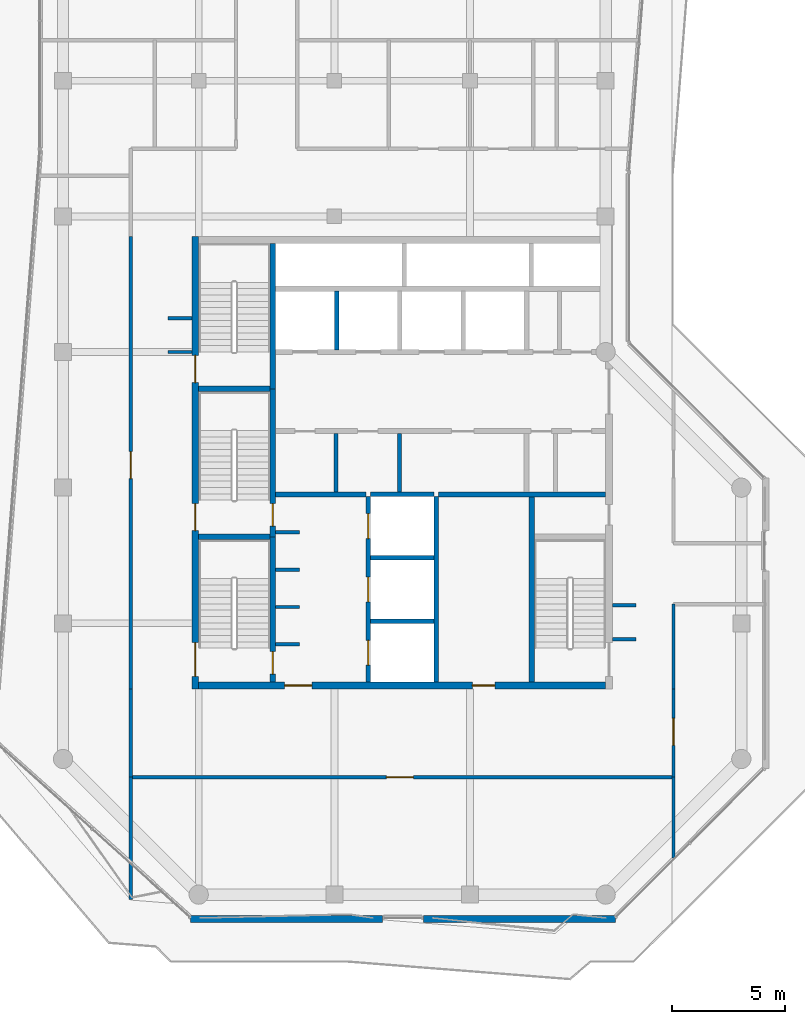
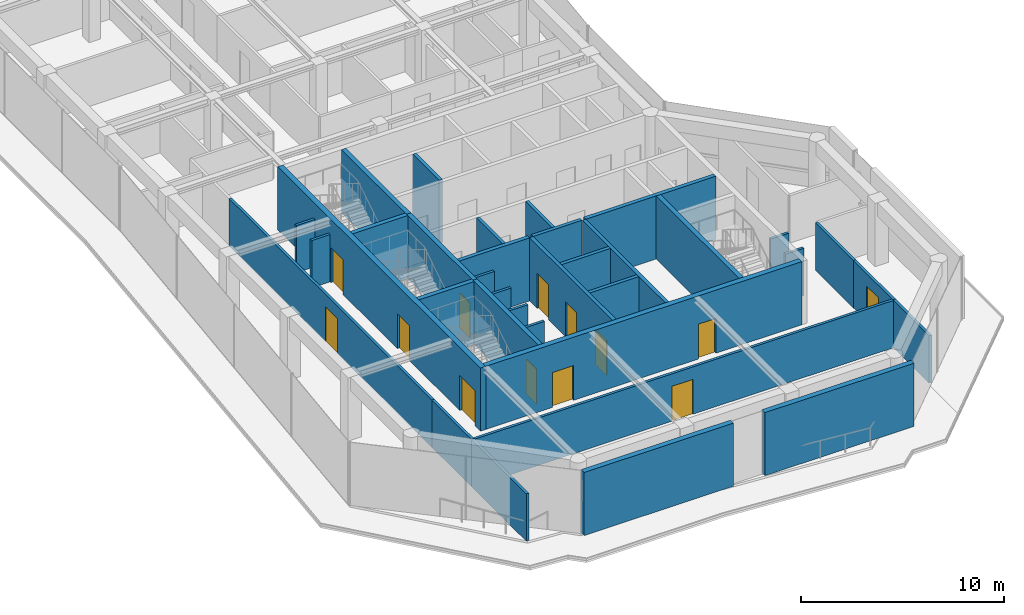
# One storey, part 17 of 22: 35 walls, 13 doors, 13 openings.
"""IFC4 building model written with IfcOpenShell, lengths in metres."""

from ifc_helpers import new_model, si_unit, direction, frame, frame_2d, origin, place, context, subcontext, project, spatial, rectangle, extrude, material, layer, layer_set, type_object, element, fill, save


model = new_model("IFC4")

# Units and contexts
model_context = context("Model", 3, precision=1e-05, world=origin(), true_north=direction((0.0, 1.0)))
body_context = subcontext(model_context, "Body", "Model", "MODEL_VIEW")
ifc_project = project(units=[si_unit("LENGTHUNIT", "METRE"), si_unit("AREAUNIT", "SQUARE_METRE"), si_unit("VOLUMEUNIT", "CUBIC_METRE"), si_unit("PLANEANGLEUNIT", "RADIAN"), si_unit("MASSUNIT", "GRAM", prefix="KILO")], contexts=[model_context])

# Site, building, storey
site_placement = place(None, origin())
site = spatial("IfcSite", under=ifc_project, at=site_placement, CompositionType="ELEMENT")
building_placement = place(site_placement, origin())
building = spatial("IfcBuilding", under=site, at=building_placement, Name="Welwitschia Terrace Campus", CompositionType="ELEMENT")
storey_placement = place(building_placement, frame((0.0, 0.0, 268.39990234375)))
storey = spatial("IfcBuildingStorey", under=building, at=storey_placement, Name="L59", CompositionType="ELEMENT", Elevation=268.39990234375)

# Walls
ifc_material_1 = material(Name="Concrete C32/40", Category="concrete")
ifc_layer_1 = layer(ifc_material_1, 0.175048828125)
ifc_layer_set_1 = layer_set([ifc_layer_1], Name="Concrete C32/40")
wall_type_1 = type_object("IfcWallType", Name="Core partition 175 Concrete C32/40", PredefinedType="PARTITIONING", material=ifc_layer_set_1)
for number, where, z_axis, x_axis, name in (
    (1, (12.074951171875, 13.800048828125, 0.0), (0.0, 0.0, 1.0), (0.0, 1.0, 0.0), "Core partition"),
    (2, (14.875, 13.800048828125, 0.0), (0.0, 0.0, 1.0), (0.0, 1.0, 0.0), "Core partition"),
):
    element("IfcWall", number, at=place(storey_placement, frame(where, z_axis=z_axis, x_axis=x_axis)), inside=storey, type_object=wall_type_1, Name=name, PredefinedType="PARTITIONING", context=body_context, shape_type="SweptSolid", body=[
        extrude(rectangle(XDim=2.599853515625, YDim=0.175048828125, at=frame_2d((1.2998046875, 0.0))), origin(), (0.0, 0.0, 1.0), 3.800048828125),
    ])
ifc_material_2 = material(Name="Concrete C32/40", Category="concrete")
ifc_layer_2 = layer(ifc_material_2, 0.22509765625)
ifc_layer_set_2 = layer_set([ifc_layer_2], Name="Concrete C32/40")
wall_type_2 = type_object("IfcWallType", Name="Core partition 225 Concrete C32/40", PredefinedType="PARTITIONING", material=ifc_layer_set_2)
wall_1_placement = place(storey_placement, frame((9.39990234375, 13.699951171875, 0.0), z_axis=(0.0, 0.0, 1.0), x_axis=(1.0, 0.0, 0.0)))
element("IfcWall", 3, at=wall_1_placement, inside=storey, type_object=wall_type_2, Name="Core partition", PredefinedType="PARTITIONING", context=body_context, shape_type="SweptSolid", body=[
    extrude(rectangle(XDim=4.0, YDim=0.22509765625, at=frame_2d((2.0, 0.0))), origin(), (0.0, 0.0, 1.0), 3.800048828125),
])
wall_2_placement = place(storey_placement, frame((16.60009765625, 13.699951171875, 0.0), z_axis=(0.0, 0.0, 1.0), x_axis=(1.0, 0.0, 0.0)))
element("IfcWall", 4, at=wall_2_placement, inside=storey, type_object=wall_type_2, Name="Core partition", PredefinedType="PARTITIONING", context=body_context, shape_type="SweptSolid", body=[
    extrude(rectangle(XDim=7.39990234375, YDim=0.22509765625, at=frame_2d((3.699951171875, 0.0))), origin(), (0.0, 0.0, 1.0), 3.800048828125),
])
ifc_material_3 = material(Name="Concrete C50/60", Category="concrete")
ifc_layer_3 = layer(ifc_material_3, 0.14990234375)
ifc_layer_set_3 = layer_set([ifc_layer_3], Name="Concrete C50/60")
wall_type_3 = type_object("IfcWallType", Name="Core wall 150 Concrete C50/60", PredefinedType="SHEAR", material=ifc_layer_set_3)
for number, where, z_axis, x_axis, name in (
    (5, (9.39990234375, 7.074951171875, 0.0), (0.0, 0.0, 1.0), (1.0, 0.0, 0.0), "Core wall"),
    (6, (9.39990234375, 8.72509765625, 0.0), (0.0, 0.0, 1.0), (1.0, 0.0, 0.0), "Core wall"),
    (7, (9.39990234375, 10.375, 0.0), (0.0, 0.0, 1.0), (1.0, 0.0, 0.0), "Core wall"),
    (8, (9.39990234375, 12.02490234375, 0.0), (0.0, 0.0, 1.0), (1.0, 0.0, 0.0), "Core wall"),
):
    element("IfcWall", number, at=place(storey_placement, frame(where, z_axis=z_axis, x_axis=x_axis)), inside=storey, type_object=wall_type_3, Name=name, PredefinedType="SHEAR", context=body_context, shape_type="SweptSolid", body=[
        extrude(rectangle(XDim=1.050048828125, YDim=0.14990234375, at=frame_2d((0.52490234375, 0.0))), origin(), (0.0, 0.0, 1.0), 3.800048828125),
    ])
ifc_material_4 = material(Name="Concrete C50/60", Category="concrete")
ifc_layer_4 = layer(ifc_material_4, 0.199951171875)
ifc_layer_set_4 = layer_set([ifc_layer_4], Name="Concrete C50/60")
wall_type_4 = type_object("IfcWallType", Name="Core wall 200 Concrete C50/60", PredefinedType="SHEAR", material=ifc_layer_set_4)
for number, where, z_axis, x_axis, name in (
    (9, (13.60009765625, 8.10009765625, 0.0), (0.0, 0.0, 1.0), (1.0, 0.0, 0.0), "Core wall"),
    (10, (13.60009765625, 10.89990234375, 0.0), (0.0, 0.0, 1.0), (1.0, 0.0, 0.0), "Core wall"),
    (11, (13.60009765625, 13.699951171875, 0.0), (0.0, 0.0, 1.0), (1.0, 0.0, 0.0), "Core wall"),
):
    element("IfcWall", number, at=place(storey_placement, frame(where, z_axis=z_axis, x_axis=x_axis)), inside=storey, type_object=wall_type_4, Name=name, PredefinedType="SHEAR", context=body_context, shape_type="SweptSolid", body=[
        extrude(rectangle(XDim=2.7998046875, YDim=0.199951171875, at=frame_2d((1.39990234375, 0.0))), origin(), (0.0, 0.0, 1.0), 3.800048828125),
    ])

# Wall, openings, doors
wall_3_placement = place(storey_placement, frame((13.5, 5.39990234375, 0.0), z_axis=(0.0, 0.0, 1.0), x_axis=(0.0, 1.0, 0.0)))
wall_3 = element("IfcWall", 12, at=wall_3_placement, inside=storey, type_object=wall_type_4, Name="Core wall", PredefinedType="SHEAR", context=body_context, shape_type="SweptSolid", body=[
    extrude(rectangle(XDim=8.2001953125, YDim=0.199951171875, at=frame_2d((4.10009765625, 0.0))), origin(), (0.0, 0.0, 1.0), 3.800048828125),
])
opening_1_placement = place(wall_3_placement, frame((0.75, 0.0, 0.0)))
opening_1 = element("IfcOpeningElement", 13, at=opening_1_placement, cuts=wall_3, Name="Opening LD", PredefinedType="OPENING", context=body_context, shape_type="SweptSolid", body=[
    extrude(rectangle(XDim=1.10009765625, YDim=2.10009765625, at=frame_2d((0.550048828125, 1.050048828125))), frame((0.0, 0.10986328125, 0.0), z_axis=(0.0, -1.0, 0.0), x_axis=(1.0, 0.0, 0.0)), (0.0, 0.0, 1.0), 0.219970703125),
])
opening_2_placement = place(wall_3_placement, frame((3.550048828125, 0.0, 0.0)))
opening_2 = element("IfcOpeningElement", 14, at=opening_2_placement, cuts=wall_3, Name="Opening LD", PredefinedType="OPENING", context=body_context, shape_type="SweptSolid", body=[
    extrude(rectangle(XDim=1.10009765625, YDim=2.10009765625, at=frame_2d((0.550048828125, 1.050048828125))), frame((0.0, 0.10986328125, 0.0), z_axis=(0.0, -1.0, 0.0), x_axis=(1.0, 0.0, 0.0)), (0.0, 0.0, 1.0), 0.219970703125),
])
opening_3_placement = place(wall_3_placement, frame((6.35009765625, 0.0, 0.0)))
opening_3 = element("IfcOpeningElement", 15, at=opening_3_placement, cuts=wall_3, Name="Opening LD", PredefinedType="OPENING", context=body_context, shape_type="SweptSolid", body=[
    extrude(rectangle(XDim=1.10009765625, YDim=2.10009765625, at=frame_2d((0.550048828125, 1.050048828125))), frame((0.0, 0.10986328125, 0.0), z_axis=(0.0, -1.0, 0.0), x_axis=(1.0, 0.0, 0.0)), (0.0, 0.0, 1.0), 0.219970703125),
])
ifc_material_5 = material(Name="Stainless steel 304", Category="steel")
door_type_1 = type_object("IfcDoorType", Name="Lift landing door", OperationType="DOUBLE_DOOR_SLIDING", PredefinedType="DOOR", material=ifc_material_5)
door_1_placement = place(opening_1_placement, origin())
door_1 = element("IfcDoor", 16, at=door_1_placement, inside=storey, type_object=door_type_1, Name="Landing door FF1", OperationType="DOUBLE_DOOR_SLIDING", OverallHeight=2.10009765625, OverallWidth=1.10009765625, PredefinedType="DOOR", context=body_context, shape_type="SweptSolid", body=[
    extrude(rectangle(XDim=1.10009765625, YDim=2.10009765625, at=frame_2d((0.550048828125, 1.050048828125))), frame((0.0, 0.02490234375, 0.0), z_axis=(0.0, -1.0, 0.0), x_axis=(1.0, 0.0, 0.0)), (0.0, 0.0, 1.0), 0.050048828125),
])
fill(opening_1, door_1)
door_2_placement = place(opening_2_placement, origin())
door_2 = element("IfcDoor", 17, at=door_2_placement, inside=storey, type_object=door_type_1, Name="Landing door FF2", OperationType="DOUBLE_DOOR_SLIDING", OverallHeight=2.10009765625, OverallWidth=1.10009765625, PredefinedType="DOOR", context=body_context, shape_type="SweptSolid", body=[
    extrude(rectangle(XDim=1.10009765625, YDim=2.10009765625, at=frame_2d((0.550048828125, 1.050048828125))), frame((0.0, 0.02490234375, 0.0), z_axis=(0.0, -1.0, 0.0), x_axis=(1.0, 0.0, 0.0)), (0.0, 0.0, 1.0), 0.050048828125),
])
fill(opening_2, door_2)
door_3_placement = place(opening_3_placement, origin())
door_3 = element("IfcDoor", 18, at=door_3_placement, inside=storey, type_object=door_type_1, Name="Landing door SV1", OperationType="DOUBLE_DOOR_SLIDING", OverallHeight=2.10009765625, OverallWidth=1.10009765625, PredefinedType="DOOR", context=body_context, shape_type="SweptSolid", body=[
    extrude(rectangle(XDim=1.10009765625, YDim=2.10009765625, at=frame_2d((0.550048828125, 1.050048828125))), frame((0.0, 0.02490234375, 0.0), z_axis=(0.0, -1.0, 0.0), x_axis=(1.0, 0.0, 0.0)), (0.0, 0.0, 1.0), 0.050048828125),
])
fill(opening_3, door_3)

# Walls
wall_4_placement = place(storey_placement, frame((16.5, 5.39990234375, 0.0), z_axis=(0.0, 0.0, 1.0), x_axis=(0.0, 1.0, 0.0)))
element("IfcWall", 19, at=wall_4_placement, inside=storey, type_object=wall_type_4, Name="Core wall", PredefinedType="SHEAR", context=body_context, shape_type="SweptSolid", body=[
    extrude(rectangle(XDim=8.2001953125, YDim=0.199951171875, at=frame_2d((4.10009765625, 0.0))), origin(), (0.0, 0.0, 1.0), 3.800048828125),
])
ifc_material_6 = material(Name="Concrete C50/60", Category="concrete")
ifc_layer_5 = layer(ifc_material_6, 0.25)
ifc_layer_set_5 = layer_set([ifc_layer_5], Name="Concrete C50/60")
wall_type_5 = type_object("IfcWallType", Name="Core wall 250 Concrete C50/60", PredefinedType="SHEAR", material=ifc_layer_set_5)
for number, where, z_axis, x_axis, name in (
    (20, (6.0, 11.824951171875, 0.0), (0.0, 0.0, 1.0), (1.0, 0.0, 0.0), "Core wall"),
    (21, (6.0, 18.375, 0.0), (0.0, 0.0, 1.0), (1.0, 0.0, 0.0), "Core wall"),
):
    element("IfcWall", number, at=place(storey_placement, frame(where, z_axis=z_axis, x_axis=x_axis)), inside=storey, type_object=wall_type_5, Name=name, PredefinedType="SHEAR", context=body_context, shape_type="SweptSolid", body=[
        extrude(rectangle(XDim=3.14990234375, YDim=0.25, at=frame_2d((1.574951171875, 0.0))), origin(), (0.0, 0.0, 1.0), 3.800048828125),
    ])

# Wall, opening, door
wall_5_placement = place(storey_placement, frame((9.27490234375, 11.824951171875, 0.0), z_axis=(0.0, 0.0, 1.0), x_axis=(0.0, -1.0, 0.0)))
wall_5 = element("IfcWall", 22, at=wall_5_placement, inside=storey, type_object=wall_type_5, Name="Core wall", PredefinedType="SHEAR", context=body_context, shape_type="SweptSolid", body=[
    extrude(rectangle(XDim=6.425048828125, YDim=0.25, at=frame_2d((3.21240234375, 0.0))), origin(), (0.0, 0.0, 1.0), 3.800048828125),
])
opening_4_placement = place(wall_5_placement, frame((5.074951171875, 0.0, 0.0)))
opening_4 = element("IfcOpeningElement", 23, at=opening_4_placement, cuts=wall_5, Name="Opening DS10", PredefinedType="OPENING", context=body_context, shape_type="SweptSolid", body=[
    extrude(rectangle(XDim=1.0, YDim=2.10009765625, at=frame_2d((0.5, 1.050048828125))), frame((0.0, 0.135009765625, 0.0), z_axis=(0.0, -1.0, 0.0), x_axis=(1.0, 0.0, 0.0)), (0.0, 0.0, 1.0), 0.27001953125),
])
ifc_material_7 = material(Name="Steel S275", Category="steel")
door_type_2 = type_object("IfcDoorType", Name="Core door DS10", OperationType="SINGLE_SWING_LEFT", PredefinedType="DOOR", material=ifc_material_7)
door_4_placement = place(opening_4_placement, origin())
door_4 = element("IfcDoor", 24, at=door_4_placement, inside=storey, type_object=door_type_2, Name="Door S1-FL", OperationType="SINGLE_SWING_RIGHT", OverallHeight=2.10009765625, OverallWidth=1.0, PredefinedType="DOOR", context=body_context, shape_type="SweptSolid", body=[
    extrude(rectangle(XDim=1.0, YDim=2.10009765625, at=frame_2d((0.5, 1.050048828125))), frame((0.0, 0.02490234375, 0.0), z_axis=(0.0, -1.0, 0.0), x_axis=(1.0, 0.0, 0.0)), (0.0, 0.0, 1.0), 0.050048828125),
])
fill(opening_4, door_4)

wall_6_placement = place(storey_placement, frame((9.27490234375, 18.375, 0.0), z_axis=(0.0, 0.0, 1.0), x_axis=(0.0, -1.0, 0.0)))
wall_6 = element("IfcWall", 25, at=wall_6_placement, inside=storey, type_object=wall_type_5, Name="Core wall", PredefinedType="SHEAR", context=body_context, shape_type="SweptSolid", body=[
    extrude(rectangle(XDim=6.550048828125, YDim=0.25, at=frame_2d((3.27490234375, 0.0))), origin(), (0.0, 0.0, 1.0), 3.800048828125),
])
opening_5_placement = place(wall_6_placement, frame((5.074951171875, 0.0, 0.0)))
opening_5 = element("IfcOpeningElement", 26, at=opening_5_placement, cuts=wall_6, Name="Opening DS10", PredefinedType="OPENING", context=body_context, shape_type="SweptSolid", body=[
    extrude(rectangle(XDim=1.0, YDim=2.10009765625, at=frame_2d((0.5, 1.050048828125))), frame((0.0, 0.135009765625, 0.0), z_axis=(0.0, -1.0, 0.0), x_axis=(1.0, 0.0, 0.0)), (0.0, 0.0, 1.0), 0.27001953125),
])
door_5_placement = place(opening_5_placement, origin())
door_5 = element("IfcDoor", 27, at=door_5_placement, inside=storey, type_object=door_type_2, Name="Door S3-FL", OperationType="SINGLE_SWING_RIGHT", OverallHeight=2.10009765625, OverallWidth=1.0, PredefinedType="DOOR", context=body_context, shape_type="SweptSolid", body=[
    extrude(rectangle(XDim=1.0, YDim=2.10009765625, at=frame_2d((0.5, 1.050048828125))), frame((0.0, 0.02490234375, 0.0), z_axis=(0.0, -1.0, 0.0), x_axis=(1.0, 0.0, 0.0)), (0.0, 0.0, 1.0), 0.050048828125),
])
fill(opening_5, door_5)

# Walls
wall_7_placement = place(storey_placement, frame((9.27490234375, 18.375, 0.0), z_axis=(0.0, 0.0, 1.0), x_axis=(0.0, 1.0, 0.0)))
element("IfcWall", 28, at=wall_7_placement, inside=storey, type_object=wall_type_5, Name="Core wall", PredefinedType="SHEAR", context=body_context, shape_type="SweptSolid", body=[
    extrude(rectangle(XDim=6.425048828125, YDim=0.25, at=frame_2d((3.21240234375, 0.0))), origin(), (0.0, 0.0, 1.0), 3.800048828125),
])
wall_8_placement = place(storey_placement, frame((20.72509765625, 5.39990234375, 0.0), z_axis=(0.0, 0.0, 1.0), x_axis=(0.0, 1.0, 0.0)))
element("IfcWall", 29, at=wall_8_placement, inside=storey, type_object=wall_type_5, Name="Core wall", PredefinedType="SHEAR", context=body_context, shape_type="SweptSolid", body=[
    extrude(rectangle(XDim=8.2001953125, YDim=0.25, at=frame_2d((4.10009765625, 0.0))), origin(), (0.0, 0.0, 1.0), 3.800048828125),
])

# Wall, openings, doors
ifc_material_8 = material(Name="Concrete C50/60", Category="concrete")
ifc_layer_6 = layer(ifc_material_8, 0.300048828125)
ifc_layer_set_6 = layer_set([ifc_layer_6], Name="Concrete C50/60")
wall_type_6 = type_object("IfcWallType", Name="Core wall 300 Concrete C50/60", PredefinedType="SHEAR", material=ifc_layer_set_6)
wall_9_placement = place(storey_placement, frame((5.85009765625, 5.10009765625, 0.0), z_axis=(0.0, 0.0, 1.0), x_axis=(0.0, 1.0, 0.0)))
wall_9 = element("IfcWall", 30, at=wall_9_placement, inside=storey, type_object=wall_type_6, Name="Core outer wall", PredefinedType="SHEAR", context=body_context, shape_type="SweptSolid", body=[
    extrude(rectangle(XDim=20.0, YDim=0.300048828125, at=frame_2d((10.0, 0.0))), origin(), (0.0, 0.0, 1.0), 3.800048828125),
])
opening_6_placement = place(wall_9_placement, frame((0.550048828125, 0.0, 0.0)))
opening_6 = element("IfcOpeningElement", 31, at=opening_6_placement, cuts=wall_9, Name="Opening DS15", PredefinedType="OPENING", context=body_context, shape_type="SweptSolid", body=[
    extrude(rectangle(XDim=1.5, YDim=2.10009765625, at=frame_2d((0.75, 1.050048828125))), frame((0.0, 0.159912109375, 0.0), z_axis=(0.0, -1.0, 0.0), x_axis=(1.0, 0.0, 0.0)), (0.0, 0.0, 1.0), 0.320068359375),
])
opening_7_placement = place(wall_9_placement, frame((7.0, 0.0, 0.0)))
opening_7 = element("IfcOpeningElement", 32, at=opening_7_placement, cuts=wall_9, Name="Opening DS12", PredefinedType="OPENING", context=body_context, shape_type="SweptSolid", body=[
    extrude(rectangle(XDim=1.199951171875, YDim=2.10009765625, at=frame_2d((0.60009765625, 1.050048828125))), frame((0.0, 0.159912109375, 0.0), z_axis=(0.0, -1.0, 0.0), x_axis=(1.0, 0.0, 0.0)), (0.0, 0.0, 1.0), 0.320068359375),
])
opening_8_placement = place(wall_9_placement, frame((13.550048828125, 0.0, 0.0)))
opening_8 = element("IfcOpeningElement", 33, at=opening_8_placement, cuts=wall_9, Name="Opening DS12", PredefinedType="OPENING", context=body_context, shape_type="SweptSolid", body=[
    extrude(rectangle(XDim=1.199951171875, YDim=2.10009765625, at=frame_2d((0.60009765625, 1.050048828125))), frame((0.0, 0.159912109375, 0.0), z_axis=(0.0, -1.0, 0.0), x_axis=(1.0, 0.0, 0.0)), (0.0, 0.0, 1.0), 0.320068359375),
])
ifc_material_9 = material(Name="Steel S275", Category="steel")
door_type_3 = type_object("IfcDoorType", Name="Core door DS12", OperationType="SINGLE_SWING_LEFT", PredefinedType="DOOR", material=ifc_material_9)
door_6_placement = place(opening_7_placement, origin())
door_6 = element("IfcDoor", 34, at=door_6_placement, inside=storey, type_object=door_type_3, Name="Door S3-out", OperationType="SINGLE_SWING_LEFT", OverallHeight=2.10009765625, OverallWidth=1.199951171875, PredefinedType="DOOR", context=body_context, shape_type="SweptSolid", body=[
    extrude(rectangle(XDim=1.199951171875, YDim=2.10009765625, at=frame_2d((0.60009765625, 1.050048828125))), frame((0.0, 0.02490234375, 0.0), z_axis=(0.0, -1.0, 0.0), x_axis=(1.0, 0.0, 0.0)), (0.0, 0.0, 1.0), 0.050048828125),
])
fill(opening_7, door_6)
door_7_placement = place(opening_8_placement, origin())
door_7 = element("IfcDoor", 35, at=door_7_placement, inside=storey, type_object=door_type_3, Name="Door S4-out", OperationType="SINGLE_SWING_RIGHT", OverallHeight=2.10009765625, OverallWidth=1.199951171875, PredefinedType="DOOR", context=body_context, shape_type="SweptSolid", body=[
    extrude(rectangle(XDim=1.199951171875, YDim=2.10009765625, at=frame_2d((0.60009765625, 1.050048828125))), frame((0.0, 0.02490234375, 0.0), z_axis=(0.0, -1.0, 0.0), x_axis=(1.0, 0.0, 0.0)), (0.0, 0.0, 1.0), 0.050048828125),
])
fill(opening_8, door_7)
ifc_material_10 = material(Name="Steel S275", Category="steel")
door_type_4 = type_object("IfcDoorType", Name="Core door DS15", OperationType="DOUBLE_DOOR_SINGLE_SWING", PredefinedType="DOOR", material=ifc_material_10)
door_8_placement = place(opening_6_placement, origin())
door_8 = element("IfcDoor", 36, at=door_8_placement, inside=storey, type_object=door_type_4, Name="Door S1-out", OperationType="DOUBLE_DOOR_SINGLE_SWING", OverallHeight=2.10009765625, OverallWidth=1.5, PredefinedType="DOOR", context=body_context, shape_type="SweptSolid", body=[
    extrude(rectangle(XDim=1.5, YDim=2.10009765625, at=frame_2d((0.75, 1.050048828125))), frame((0.0, 0.02490234375, 0.0), z_axis=(0.0, -1.0, 0.0), x_axis=(1.0, 0.0, 0.0)), (0.0, 0.0, 1.0), 0.050048828125),
])
fill(opening_6, door_8)

wall_10_placement = place(storey_placement, frame((24.0, 5.25, 0.0), z_axis=(0.0, 0.0, 1.0), x_axis=(-1.0, 0.0, 0.0)))
wall_10 = element("IfcWall", 37, at=wall_10_placement, inside=storey, type_object=wall_type_6, Name="Core outer wall", PredefinedType="SHEAR", context=body_context, shape_type="SweptSolid", body=[
    extrude(rectangle(XDim=18.0, YDim=0.300048828125, at=frame_2d((9.0, 0.0))), origin(), (0.0, 0.0, 1.0), 3.800048828125),
])
opening_9_placement = place(wall_10_placement, frame((13.0, 0.0, 0.0)))
opening_9 = element("IfcOpeningElement", 38, at=opening_9_placement, cuts=wall_10, Name="Opening DF12", PredefinedType="OPENING", context=body_context, shape_type="SweptSolid", body=[
    extrude(rectangle(XDim=1.199951171875, YDim=2.10009765625, at=frame_2d((0.60009765625, 1.050048828125))), frame((0.0, 0.159912109375, 0.0), z_axis=(0.0, -1.0, 0.0), x_axis=(1.0, 0.0, 0.0)), (0.0, 0.0, 1.0), 0.320068359375),
])
opening_10_placement = place(wall_10_placement, frame((4.89990234375, 0.0, 0.0)))
opening_10 = element("IfcOpeningElement", 39, at=opening_10_placement, cuts=wall_10, Name="Opening DR10", PredefinedType="OPENING", context=body_context, shape_type="SweptSolid", body=[
    extrude(rectangle(XDim=1.0, YDim=2.10009765625, at=frame_2d((0.5, 1.050048828125))), frame((0.0, 0.159912109375, 0.0), z_axis=(0.0, -1.0, 0.0), x_axis=(1.0, 0.0, 0.0)), (0.0, 0.0, 1.0), 0.320068359375),
])
ifc_material_11 = material(Name="Steel S275", Category="steel")
door_type_5 = type_object("IfcDoorType", Name="Core door DF12", OperationType="SINGLE_SWING_LEFT", PredefinedType="DOOR", material=ifc_material_11)
door_9_placement = place(opening_9_placement, origin())
door_9 = element("IfcDoor", 40, at=door_9_placement, inside=storey, type_object=door_type_5, Name="Door FL-out", OperationType="SINGLE_SWING_RIGHT", OverallHeight=2.10009765625, OverallWidth=1.199951171875, PredefinedType="DOOR", context=body_context, shape_type="SweptSolid", body=[
    extrude(rectangle(XDim=1.199951171875, YDim=2.10009765625, at=frame_2d((0.60009765625, 1.050048828125))), frame((0.0, 0.02490234375, 0.0), z_axis=(0.0, -1.0, 0.0), x_axis=(1.0, 0.0, 0.0)), (0.0, 0.0, 1.0), 0.050048828125),
])
fill(opening_9, door_9)
ifc_material_12 = material(Name="Steel S275", Category="steel")
door_type_6 = type_object("IfcDoorType", Name="Core door DR10", OperationType="SINGLE_SWING_LEFT", PredefinedType="DOOR", material=ifc_material_12)
door_10_placement = place(opening_10_placement, origin())
door_10 = element("IfcDoor", 41, at=door_10_placement, inside=storey, type_object=door_type_6, Name="Door F1-out", OperationType="SINGLE_SWING_LEFT", OverallHeight=2.10009765625, OverallWidth=1.0, PredefinedType="DOOR", context=body_context, shape_type="SweptSolid", body=[
    extrude(rectangle(XDim=1.0, YDim=2.10009765625, at=frame_2d((0.5, 1.050048828125))), frame((0.0, 0.02490234375, 0.0), z_axis=(0.0, -1.0, 0.0), x_axis=(1.0, 0.0, 0.0)), (0.0, 0.0, 1.0), 0.050048828125),
])
fill(opening_10, door_10)

# Walls
ifc_material_13 = material(Name="Gypsum board on steel studs", Category="steel")
ifc_layer_7 = layer(ifc_material_13, 0.14990234375)
ifc_layer_set_7 = layer_set([ifc_layer_7], Name="Gypsum board on steel studs")
wall_type_7 = type_object("IfcWallType", Name="Corridor partition 150 EI 30", PredefinedType="PARTITIONING", material=ifc_layer_set_7)
wall_11_placement = place(storey_placement, frame((3.0, -4.219970703125, 0.0), z_axis=(0.0, 0.0, 1.0), x_axis=(0.0, 1.0, 0.0)))
element("IfcWall", 42, at=wall_11_placement, inside=storey, type_object=wall_type_7, Name="Partition", PredefinedType="PARTITIONING", context=body_context, shape_type="SweptSolid", body=[
    extrude(rectangle(XDim=5.419921875, YDim=0.14990234375, at=frame_2d((2.7099609375, 0.0))), origin(), (0.0, 0.0, 1.0), 2.85009765625),
])
wall_12_placement = place(storey_placement, frame((3.0, 1.199951171875, 0.0), z_axis=(0.0, 0.0, 1.0), x_axis=(0.0, 1.0, 0.0)))
element("IfcWall", 43, at=wall_12_placement, inside=storey, type_object=wall_type_7, Name="Partition", PredefinedType="PARTITIONING", context=body_context, shape_type="SweptSolid", body=[
    extrude(rectangle(XDim=3.900146484375, YDim=0.14990234375, at=frame_2d((1.9501953125, 0.0))), origin(), (0.0, 0.0, 1.0), 2.85009765625),
])

# Wall, opening, door
wall_13_placement = place(storey_placement, frame((3.0, 5.10009765625, 0.0), z_axis=(0.0, 0.0, 1.0), x_axis=(0.0, 1.0, 0.0)))
wall_13 = element("IfcWall", 44, at=wall_13_placement, inside=storey, type_object=wall_type_7, Name="Partition", PredefinedType="PARTITIONING", context=body_context, shape_type="SweptSolid", body=[
    extrude(rectangle(XDim=20.0, YDim=0.14990234375, at=frame_2d((10.0, 0.0))), origin(), (0.0, 0.0, 1.0), 2.85009765625),
])
opening_11_placement = place(wall_13_placement, frame((9.300048828125, 0.0, 0.0)))
opening_11 = element("IfcOpeningElement", 45, at=opening_11_placement, cuts=wall_13, Name="Opening DI12", PredefinedType="OPENING", context=body_context, shape_type="SweptSolid", body=[
    extrude(rectangle(XDim=1.199951171875, YDim=2.10009765625, at=frame_2d((0.60009765625, 1.050048828125))), frame((0.0, 0.0849609375, 0.0), z_axis=(0.0, -1.0, 0.0), x_axis=(1.0, 0.0, 0.0)), (0.0, 0.0, 1.0), 0.169921875),
])
ifc_material_14 = material(Name="Timber veneered door", Category="wood")
door_type_7 = type_object("IfcDoorType", Name="Interior door DI12", OperationType="NOTDEFINED", PredefinedType="DOOR", material=ifc_material_14)
door_11_placement = place(opening_11_placement, origin())
door_11 = element("IfcDoor", 46, at=door_11_placement, inside=storey, type_object=door_type_7, Name="Door L59 1056", OperationType="SINGLE_SWING_LEFT", OverallHeight=2.10009765625, OverallWidth=1.199951171875, PredefinedType="DOOR", context=body_context, shape_type="SweptSolid", body=[
    extrude(rectangle(XDim=1.199951171875, YDim=2.10009765625, at=frame_2d((0.60009765625, 1.050048828125))), frame((0.0, 0.02490234375, 0.0), z_axis=(0.0, -1.0, 0.0), x_axis=(1.0, 0.0, 0.0)), (0.0, 0.0, 1.0), 0.050048828125),
])
fill(opening_11, door_11)

# Walls
for number, where, z_axis, x_axis, name in (
    (47, (4.64990234375, 20.0, 0.0), (0.0, 0.0, 1.0), (1.0, 0.0, 0.0), "Partition"),
    (48, (4.64990234375, 21.5, 0.0), (0.0, 0.0, 1.0), (1.0, 0.0, 0.0), "Partition"),
    (49, (24.300048828125, 7.300048828125, 0.0), (0.0, 0.0, 1.0), (1.0, 0.0, 0.0), "Partition"),
    (50, (24.300048828125, 8.800048828125, 0.0), (0.0, 0.0, 1.0), (1.0, 0.0, 0.0), "Partition"),
):
    element("IfcWall", number, at=place(storey_placement, frame(where, z_axis=z_axis, x_axis=x_axis)), inside=storey, type_object=wall_type_7, Name=name, PredefinedType="PARTITIONING", context=body_context, shape_type="SweptSolid", body=[
        extrude(rectangle(XDim=1.050048828125, YDim=0.14990234375, at=frame_2d((0.52490234375, 0.0))), origin(), (0.0, 0.0, 1.0), 2.85009765625),
    ])
wall_14_placement = place(storey_placement, frame((27.0, -2.389892578125, 0.0), z_axis=(0.0, 0.0, 1.0), x_axis=(0.0, 1.0, 0.0)))
element("IfcWall", 51, at=wall_14_placement, inside=storey, type_object=wall_type_7, Name="Partition", PredefinedType="PARTITIONING", context=body_context, shape_type="SweptSolid", body=[
    extrude(rectangle(XDim=3.58984375, YDim=0.14990234375, at=frame_2d((1.794921875, 0.0))), origin(), (0.0, 0.0, 1.0), 2.85009765625),
])

# Wall, opening, door
wall_15_placement = place(storey_placement, frame((27.0, 1.199951171875, 0.0), z_axis=(0.0, 0.0, 1.0), x_axis=(-1.0, 0.0, 0.0)))
wall_15 = element("IfcWall", 52, at=wall_15_placement, inside=storey, type_object=wall_type_7, Name="Partition", PredefinedType="PARTITIONING", context=body_context, shape_type="SweptSolid", body=[
    extrude(rectangle(XDim=24.0, YDim=0.14990234375, at=frame_2d((12.0, 0.0))), origin(), (0.0, 0.0, 1.0), 2.85009765625),
])
opening_12_placement = place(wall_15_placement, frame((11.5, 0.0, 0.0)))
opening_12 = element("IfcOpeningElement", 53, at=opening_12_placement, cuts=wall_15, Name="Opening DI12", PredefinedType="OPENING", context=body_context, shape_type="SweptSolid", body=[
    extrude(rectangle(XDim=1.199951171875, YDim=2.10009765625, at=frame_2d((0.60009765625, 1.050048828125))), frame((0.0, 0.0849609375, 0.0), z_axis=(0.0, -1.0, 0.0), x_axis=(1.0, 0.0, 0.0)), (0.0, 0.0, 1.0), 0.169921875),
])
door_12_placement = place(opening_12_placement, origin())
door_12 = element("IfcDoor", 54, at=door_12_placement, inside=storey, type_object=door_type_7, Name="Door L59 1069", OperationType="SINGLE_SWING_RIGHT", OverallHeight=2.10009765625, OverallWidth=1.199951171875, PredefinedType="DOOR", context=body_context, shape_type="SweptSolid", body=[
    extrude(rectangle(XDim=1.199951171875, YDim=2.10009765625, at=frame_2d((0.60009765625, 1.050048828125))), frame((0.0, 0.02490234375, 0.0), z_axis=(0.0, -1.0, 0.0), x_axis=(1.0, 0.0, 0.0)), (0.0, 0.0, 1.0), 0.050048828125),
])
fill(opening_12, door_12)

wall_16_placement = place(storey_placement, frame((27.0, 1.199951171875, 0.0), z_axis=(0.0, 0.0, 1.0), x_axis=(0.0, 1.0, 0.0)))
wall_16 = element("IfcWall", 55, at=wall_16_placement, inside=storey, type_object=wall_type_7, Name="Partition", PredefinedType="PARTITIONING", context=body_context, shape_type="SweptSolid", body=[
    extrude(rectangle(XDim=3.900146484375, YDim=0.14990234375, at=frame_2d((1.9501953125, 0.0))), origin(), (0.0, 0.0, 1.0), 2.85009765625),
])
opening_13_placement = place(wall_16_placement, frame((1.39990234375, 0.0, 0.0)))
opening_13 = element("IfcOpeningElement", 56, at=opening_13_placement, cuts=wall_16, Name="Opening DI12", PredefinedType="OPENING", context=body_context, shape_type="SweptSolid", body=[
    extrude(rectangle(XDim=1.199951171875, YDim=2.10009765625, at=frame_2d((0.60009765625, 1.050048828125))), frame((0.0, 0.0849609375, 0.0), z_axis=(0.0, -1.0, 0.0), x_axis=(1.0, 0.0, 0.0)), (0.0, 0.0, 1.0), 0.169921875),
])
door_13_placement = place(opening_13_placement, origin())
door_13 = element("IfcDoor", 57, at=door_13_placement, inside=storey, type_object=door_type_7, Name="Door L59 1070", OperationType="SINGLE_SWING_LEFT", OverallHeight=2.10009765625, OverallWidth=1.199951171875, PredefinedType="DOOR", context=body_context, shape_type="SweptSolid", body=[
    extrude(rectangle(XDim=1.199951171875, YDim=2.10009765625, at=frame_2d((0.60009765625, 1.050048828125))), frame((0.0, 0.02490234375, 0.0), z_axis=(0.0, -1.0, 0.0), x_axis=(1.0, 0.0, 0.0)), (0.0, 0.0, 1.0), 0.050048828125),
])
fill(opening_13, door_13)

# Walls
wall_17_placement = place(storey_placement, frame((27.0, 5.10009765625, 0.0), z_axis=(0.0, 0.0, 1.0), x_axis=(0.0, 1.0, 0.0)))
element("IfcWall", 58, at=wall_17_placement, inside=storey, type_object=wall_type_7, Name="Partition", PredefinedType="PARTITIONING", context=body_context, shape_type="SweptSolid", body=[
    extrude(rectangle(XDim=3.75, YDim=0.14990234375, at=frame_2d((1.875, 0.0))), origin(), (0.0, 0.0, 1.0), 2.85009765625),
])
ifc_material_15 = material(Name="Concrete C40/50", Category="concrete")
ifc_layer_8 = layer(ifc_material_15, 0.300048828125)
ifc_layer_set_8 = layer_set([ifc_layer_8], Name="Concrete C40/50")
wall_type_8 = type_object("IfcWallType", Name="Mass wall 300", PredefinedType="SOLIDWALL", material=ifc_layer_set_8)
wall_18_placement = place(storey_placement, frame((5.639892578125, -5.080078125, 0.0), z_axis=(0.0, 0.0, 1.0), x_axis=(1.0, 0.0, 0.0)))
element("IfcWall", 59, at=wall_18_placement, inside=storey, type_object=wall_type_8, Name="Mass wall L59.3.0", PredefinedType="SOLIDWALL", context=body_context, shape_type="SweptSolid", body=[
    extrude(rectangle(XDim=8.493408203125, YDim=0.300048828125, at=frame_2d((4.24658203125, 0.0))), origin(), (0.0, 0.0, 1.0), 3.800048828125),
])
wall_19_placement = place(storey_placement, frame((15.933349609375, -5.07958984375, 0.0), z_axis=(0.0, 0.0, 1.0), x_axis=(1.0, 0.0, 0.0)))
element("IfcWall", 60, at=wall_19_placement, inside=storey, type_object=wall_type_8, Name="Mass wall L59.3.1", PredefinedType="SOLIDWALL", context=body_context, shape_type="SweptSolid", body=[
    extrude(rectangle(XDim=8.4931640625, YDim=0.300048828125, at=frame_2d((4.24658203125, 0.0))), origin(), (0.0, 0.0, 1.0), 3.800048828125),
])
ifc_material_16 = material(Name="Concrete C32/40", Category="concrete")
ifc_layer_9 = layer(ifc_material_16, 0.199951171875)
ifc_layer_set_9 = layer_set([ifc_layer_9], Name="Concrete C32/40")
wall_type_9 = type_object("IfcWallType", Name="Shaft wall 200 Concrete C32/40", PredefinedType="SOLIDWALL", material=ifc_layer_set_9)
wall_20_placement = place(storey_placement, frame((12.10009765625, 20.10009765625, 0.0), z_axis=(0.0, 0.0, 1.0), x_axis=(0.0, 1.0, 0.0)))
element("IfcWall", 61, at=wall_20_placement, inside=storey, type_object=wall_type_9, Name="Shaft wall", PredefinedType="SOLIDWALL", context=body_context, shape_type="SweptSolid", body=[
    extrude(rectangle(XDim=2.599853515625, YDim=0.199951171875, at=frame_2d((1.2998046875, 0.0))), origin(), (0.0, 0.0, 1.0), 3.800048828125),
])

save(model, "model.ifc")
